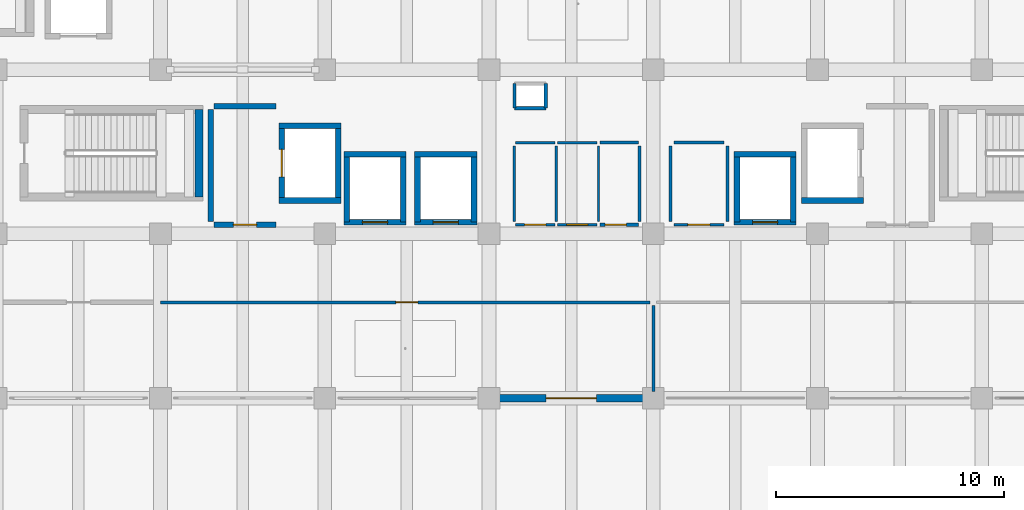
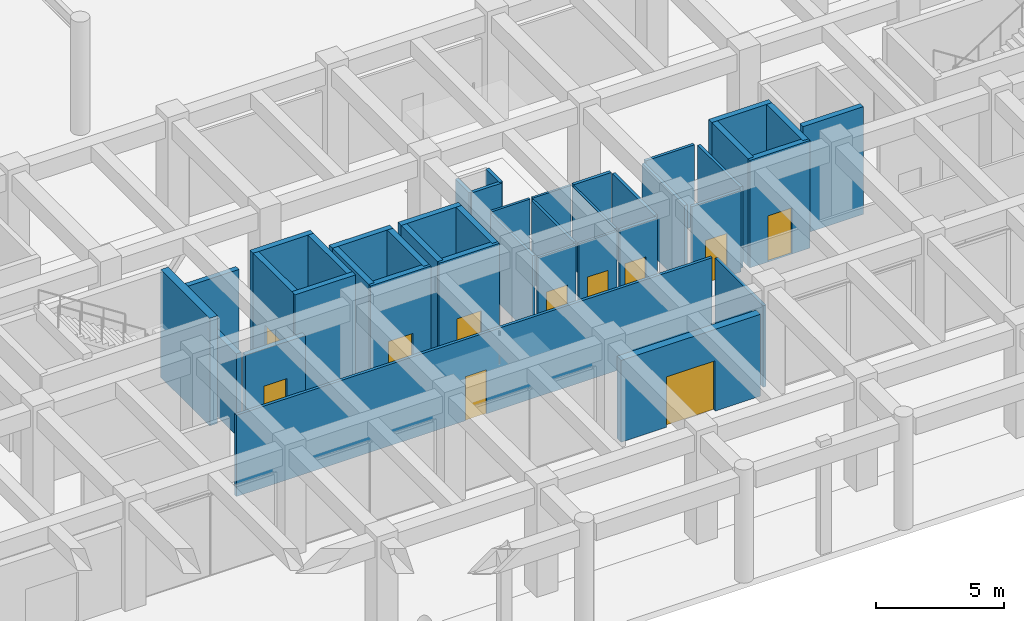
# One storey, part 27 of 56: 41 walls, 11 doors, 11 openings.
"""IFC4 building model written with IfcOpenShell, lengths in metres."""

from ifc_helpers import new_model, si_unit, direction, frame, frame_2d, origin, place, context, subcontext, project, spatial, rectangle, extrude, material, layer, layer_set, type_object, element, fill, save


model = new_model("IFC4")

# Units and contexts
model_context = context("Model", 3, precision=1e-05, world=origin(), true_north=direction((0.0, 1.0)))
body_context = subcontext(model_context, "Body", "Model", "MODEL_VIEW")
ifc_project = project(units=[si_unit("LENGTHUNIT", "METRE"), si_unit("AREAUNIT", "SQUARE_METRE"), si_unit("VOLUMEUNIT", "CUBIC_METRE"), si_unit("PLANEANGLEUNIT", "RADIAN"), si_unit("MASSUNIT", "GRAM", prefix="KILO")], contexts=[model_context])

# Site, building, storey
site_placement = place(None, origin())
site = spatial("IfcSite", under=ifc_project, at=site_placement, CompositionType="ELEMENT")
building_placement = place(site_placement, origin())
building = spatial("IfcBuilding", under=site, at=building_placement, Name="Kazehaya Institute of Natural Sciences", CompositionType="ELEMENT")
storey_placement = place(building_placement, origin())
storey = spatial("IfcBuildingStorey", under=building, at=storey_placement, Name="L00", CompositionType="ELEMENT", Elevation=0.0)

# Wall
ifc_material_1 = material(Name="Concrete Fc42", Category="concrete")
ifc_layer_1 = layer(ifc_material_1, 0.35009765625, Name="Concrete Fc42", Category="concrete")
ifc_layer_set_1 = layer_set([ifc_layer_1], Name="Concrete Fc42")
wall_type_1 = type_object("IfcWallType", Name="WL-CORE-350", PredefinedType="SHEAR", material=ifc_layer_set_1)
wall_1_placement = place(storey_placement, frame((70.679931640625, 26.659912109375, 0.0), z_axis=(0.0, 0.0, 1.0), x_axis=(0.0, -1.0, 0.0)))
element("IfcWall", 1, at=wall_1_placement, inside=storey, type_object=wall_type_1, Name="L00 ST-1 core wall E", PredefinedType="SHEAR", context=body_context, shape_type="SweptSolid", body=[
    extrude(rectangle(XDim=3.83984375, YDim=0.35009765625, at=frame_2d((1.919921875, 0.0))), origin(), (0.0, 0.0, 1.0), 5.1298828125),
])

# Wall, opening, door
ifc_material_2 = material(Name="Precast concrete Fc36", Category="concrete")
ifc_layer_2 = layer(ifc_material_2, 0.340087890625, Name="Precast concrete Fc36", Category="concrete")
ifc_layer_set_2 = layer_set([ifc_layer_2], Name="Precast concrete Fc36")
wall_type_2 = type_object("IfcWallType", Name="WL-EXT-340", PredefinedType="SOLIDWALL", material=ifc_layer_set_2)
wall_2_placement = place(storey_placement, frame((90.139892578125, 14.0, 0.0), z_axis=(0.0, 0.0, 1.0), x_axis=(-1.0, 0.0, 0.0)))
wall_2 = element("IfcWall", 2, at=wall_2_placement, inside=storey, type_object=wall_type_2, Name="L00 exterior wall EW-L00-0096", PredefinedType="SOLIDWALL", context=body_context, shape_type="SweptSolid", body=[
    extrude(rectangle(XDim=6.27978515625, YDim=0.340087890625, at=frame_2d((3.139892578125, 0.0))), origin(), (0.0, 0.0, 1.0), 3.89990234375),
])
opening_1_placement = place(wall_2_placement, frame((2.0400390625, 0.0, 0.0)))
opening_1 = element("IfcOpeningElement", 3, at=opening_1_placement, cuts=wall_2, Name="Opening D-E09", PredefinedType="OPENING", context=body_context, shape_type="SweptSolid", body=[
    extrude(rectangle(XDim=2.199951171875, YDim=2.39990234375, at=frame_2d((1.10009765625, 1.199951171875))), frame((0.0, 0.179931640625, 0.0), z_axis=(0.0, -1.0, 0.0), x_axis=(1.0, 0.0, 0.0)), (0.0, 0.0, 1.0), 0.360107421875),
])
ifc_material_3 = material(Name="Insulated bronze-clad steel door", Category="steel")
door_type_1 = type_object("IfcDoorType", Name="DT-EXT-2200x2400", OperationType="DOUBLE_DOOR_SINGLE_SWING", PredefinedType="DOOR", material=ifc_material_3)
door_1_placement = place(opening_1_placement, origin())
door_1 = element("IfcDoor", 4, at=door_1_placement, inside=storey, type_object=door_type_1, Name="L00 exterior door D-E09", OperationType="DOUBLE_DOOR_SINGLE_SWING", OverallHeight=2.39990234375, OverallWidth=2.199951171875, PredefinedType="DOOR", context=body_context, shape_type="SweptSolid", body=[
    extrude(rectangle(XDim=2.199951171875, YDim=2.39990234375, at=frame_2d((1.10009765625, 1.199951171875))), frame((0.0, 0.02490234375, 0.0), z_axis=(0.0, -1.0, 0.0), x_axis=(1.0, 0.0, 0.0)), (0.0, 0.0, 1.0), 0.050048828125),
])
fill(opening_1, door_1)

ifc_material_4 = material(Name="Concrete Fc36", Category="concrete")
ifc_layer_3 = layer(ifc_material_4, 0.22998046875, Name="Concrete Fc36", Category="concrete")
ifc_layer_set_3 = layer_set([ifc_layer_3], Name="Concrete Fc36")
wall_type_3 = type_object("IfcWallType", Name="WL-FFL-230", PredefinedType="PARTITIONING", material=ifc_layer_set_3)
wall_3_placement = place(storey_placement, frame((74.050048828125, 21.60009765625, 0.0), z_axis=(0.0, 0.0, 1.0), x_axis=(-1.0, 0.0, 0.0)))
wall_3 = element("IfcWall", 5, at=wall_3_placement, inside=storey, type_object=wall_type_3, Name="L00 West Firefighting Lift Lobby partition IW-L00-0034", PredefinedType="PARTITIONING", context=body_context, shape_type="SweptSolid", body=[
    extrude(rectangle(XDim=2.699951171875, YDim=0.22998046875, at=frame_2d((1.35009765625, 0.0))), origin(), (0.0, 0.0, 1.0), 3.8798828125),
])
opening_2_placement = place(wall_3_placement, frame((0.840087890625, 0.0, 0.0)))
opening_2 = element("IfcOpeningElement", 6, at=opening_2_placement, cuts=wall_3, Name="Opening D-L00-0053", PredefinedType="OPENING", context=body_context, shape_type="SweptSolid", body=[
    extrude(rectangle(XDim=1.02001953125, YDim=2.1201171875, at=frame_2d((0.510009765625, 1.06005859375))), frame((0.0, 0.125, 0.0), z_axis=(0.0, -1.0, 0.0), x_axis=(1.0, 0.0, 0.0)), (0.0, 0.0, 1.0), 0.25),
])
ifc_material_5 = material(Name="Fire-rated steel acoustic door", Category="steel")
door_type_2 = type_object("IfcDoorType", Name="DT-FD-11", OperationType="NOTDEFINED", PredefinedType="DOOR", material=ifc_material_5)
door_2_placement = place(opening_2_placement, origin())
door_2 = element("IfcDoor", 7, at=door_2_placement, inside=storey, type_object=door_type_2, Name="L00 West Firefighting Lift Lobby door D-L00-0053", OperationType="SINGLE_SWING_LEFT", OverallHeight=2.1201171875, OverallWidth=1.02001953125, PredefinedType="DOOR", context=body_context, shape_type="SweptSolid", body=[
    extrude(rectangle(XDim=1.02001953125, YDim=2.1201171875, at=frame_2d((0.510009765625, 1.06005859375))), frame((0.0, 0.02490234375, 0.0), z_axis=(0.0, -1.0, 0.0), x_axis=(1.0, 0.0, 0.0)), (0.0, 0.0, 1.0), 0.050048828125),
])
fill(opening_2, door_2)

# Walls
wall_4_placement = place(storey_placement, frame((71.35009765625, 26.800048828125, 0.0), z_axis=(0.0, 0.0, 1.0), x_axis=(1.0, 0.0, 0.0)))
element("IfcWall", 8, at=wall_4_placement, inside=storey, type_object=wall_type_3, Name="L00 West Firefighting Lift Lobby partition IW-L00-0035", PredefinedType="PARTITIONING", context=body_context, shape_type="SweptSolid", body=[
    extrude(rectangle(XDim=2.699951171875, YDim=0.22998046875, at=frame_2d((1.35009765625, 0.0))), origin(), (0.0, 0.0, 1.0), 3.8798828125),
])
wall_5_placement = place(storey_placement, frame((71.199951171875, 21.75, 0.0), z_axis=(0.0, 0.0, 1.0), x_axis=(0.0, 1.0, 0.0)))
element("IfcWall", 9, at=wall_5_placement, inside=storey, type_object=wall_type_3, Name="L00 West Firefighting Lift Lobby partition IW-L00-0036", PredefinedType="PARTITIONING", context=body_context, shape_type="SweptSolid", body=[
    extrude(rectangle(XDim=4.89990234375, YDim=0.22998046875, at=frame_2d((2.449951171875, 0.0))), origin(), (0.0, 0.0, 1.0), 3.8798828125),
])

# Wall, opening, door
ifc_material_6 = material(Name="Lightweight chase partition")
ifc_layer_4 = layer(ifc_material_6, 0.10009765625, Name="Lightweight chase partition")
ifc_layer_set_4 = layer_set([ifc_layer_4], Name="Lightweight chase partition")
wall_type_4 = type_object("IfcWallType", Name="WL-PART-100", PredefinedType="PARTITIONING", material=ifc_layer_set_4)
wall_6_placement = place(storey_placement, frame((88.139892578125, 21.60009765625, 0.0), z_axis=(0.0, 0.0, 1.0), x_axis=(-1.0, 0.0, 0.0)))
wall_6 = element("IfcWall", 10, at=wall_6_placement, inside=storey, type_object=wall_type_4, Name="L00 Female WC partition IW-L00-0044", PredefinedType="PARTITIONING", context=body_context, shape_type="SweptSolid", body=[
    extrude(rectangle(XDim=1.72998046875, YDim=0.10009765625, at=frame_2d((0.864990234375, 0.0))), origin(), (0.0, 0.0, 1.0), 3.8798828125),
])
opening_3_placement = place(wall_6_placement, frame((0.405029296875, 0.0, 0.0)))
opening_3 = element("IfcOpeningElement", 11, at=opening_3_placement, cuts=wall_6, Name="Opening D-L00-0056", PredefinedType="OPENING", context=body_context, shape_type="SweptSolid", body=[
    extrude(rectangle(XDim=0.929931640625, YDim=2.159912109375, at=frame_2d((0.46484375, 1.080078125))), frame((0.0, 0.06005859375, 0.0), z_axis=(0.0, -1.0, 0.0), x_axis=(1.0, 0.0, 0.0)), (0.0, 0.0, 1.0), 0.1201171875),
])
ifc_material_7 = material(Name="Flush timber and aluminium laboratory door", Category="wood")
door_type_3 = type_object("IfcDoorType", Name="DT-INT-07", OperationType="NOTDEFINED", PredefinedType="DOOR", material=ifc_material_7)
door_3_placement = place(opening_3_placement, origin())
door_3 = element("IfcDoor", 12, at=door_3_placement, inside=storey, type_object=door_type_3, Name="L00 Female WC door D-L00-0056", OperationType="SINGLE_SWING_RIGHT", OverallHeight=2.159912109375, OverallWidth=0.929931640625, PredefinedType="DOOR", context=body_context, shape_type="SweptSolid", body=[
    extrude(rectangle(XDim=0.929931640625, YDim=2.159912109375, at=frame_2d((0.46484375, 1.080078125))), frame((0.0, 0.02490234375, 0.0), z_axis=(0.0, -1.0, 0.0), x_axis=(1.0, 0.0, 0.0)), (0.0, 0.0, 1.0), 0.050048828125),
])
fill(opening_3, door_3)

# Walls
wall_7_placement = place(storey_placement, frame((86.409912109375, 25.199951171875, 0.0), z_axis=(0.0, 0.0, 1.0), x_axis=(1.0, 0.0, 0.0)))
element("IfcWall", 13, at=wall_7_placement, inside=storey, type_object=wall_type_4, Name="L00 Female WC partition IW-L00-0045", PredefinedType="PARTITIONING", context=body_context, shape_type="SweptSolid", body=[
    extrude(rectangle(XDim=1.72998046875, YDim=0.10009765625, at=frame_2d((0.864990234375, 0.0))), origin(), (0.0, 0.0, 1.0), 3.8798828125),
])
wall_8_placement = place(storey_placement, frame((88.199951171875, 25.050048828125, 0.0), z_axis=(0.0, 0.0, 1.0), x_axis=(0.0, -1.0, 0.0)))
element("IfcWall", 14, at=wall_8_placement, inside=storey, type_object=wall_type_4, Name="L00 Female WC partition IW-L00-0046", PredefinedType="PARTITIONING", context=body_context, shape_type="SweptSolid", body=[
    extrude(rectangle(XDim=3.300048828125, YDim=0.10009765625, at=frame_2d((1.64990234375, 0.0))), origin(), (0.0, 0.0, 1.0), 3.8798828125),
])

# Wall, opening, door
ifc_material_8 = material(Name="Glazed office demountable partition")
ifc_layer_5 = layer(ifc_material_8, 0.110107421875, Name="Glazed office demountable partition")
ifc_layer_set_5 = layer_set([ifc_layer_5], Name="Glazed office demountable partition")
wall_type_5 = type_object("IfcWallType", Name="WL-PART-110", PredefinedType="PARTITIONING", material=ifc_layer_set_5)
wall_9_placement = place(storey_placement, frame((86.2900390625, 21.60009765625, 0.0), z_axis=(0.0, 0.0, 1.0), x_axis=(-1.0, 0.0, 0.0)))
wall_9 = element("IfcWall", 15, at=wall_9_placement, inside=storey, type_object=wall_type_5, Name="L00 Male WC partition IW-L00-0040", PredefinedType="PARTITIONING", context=body_context, shape_type="SweptSolid", body=[
    extrude(rectangle(XDim=1.72998046875, YDim=0.110107421875, at=frame_2d((0.864990234375, 0.0))), origin(), (0.0, 0.0, 1.0), 3.8798828125),
])
opening_4_placement = place(wall_9_placement, frame((0.405029296875, 0.0, 0.0)))
opening_4 = element("IfcOpeningElement", 16, at=opening_4_placement, cuts=wall_9, Name="Opening D-L00-0055", PredefinedType="OPENING", context=body_context, shape_type="SweptSolid", body=[
    extrude(rectangle(XDim=0.929931640625, YDim=2.10009765625, at=frame_2d((0.46484375, 1.050048828125))), frame((0.0, 0.06494140625, 0.0), z_axis=(0.0, -1.0, 0.0), x_axis=(1.0, 0.0, 0.0)), (0.0, 0.0, 1.0), 0.130126953125),
])
door_type_4 = type_object("IfcDoorType", Name="DT-INT-06", OperationType="NOTDEFINED", PredefinedType="DOOR", material=ifc_material_7)
door_4_placement = place(opening_4_placement, origin())
door_4 = element("IfcDoor", 17, at=door_4_placement, inside=storey, type_object=door_type_4, Name="L00 Male WC door D-L00-0055", OperationType="SINGLE_SWING_LEFT", OverallHeight=2.10009765625, OverallWidth=0.929931640625, PredefinedType="DOOR", context=body_context, shape_type="SweptSolid", body=[
    extrude(rectangle(XDim=0.929931640625, YDim=2.10009765625, at=frame_2d((0.46484375, 1.050048828125))), frame((0.0, 0.02490234375, 0.0), z_axis=(0.0, -1.0, 0.0), x_axis=(1.0, 0.0, 0.0)), (0.0, 0.0, 1.0), 0.050048828125),
])
fill(opening_4, door_4)

# Walls
wall_10_placement = place(storey_placement, frame((84.56005859375, 25.199951171875, 0.0), z_axis=(0.0, 0.0, 1.0), x_axis=(1.0, 0.0, 0.0)))
element("IfcWall", 18, at=wall_10_placement, inside=storey, type_object=wall_type_5, Name="L00 Male WC partition IW-L00-0041", PredefinedType="PARTITIONING", context=body_context, shape_type="SweptSolid", body=[
    extrude(rectangle(XDim=1.72998046875, YDim=0.110107421875, at=frame_2d((0.864990234375, 0.0))), origin(), (0.0, 0.0, 1.0), 3.8798828125),
])
for number, where, z_axis, x_axis, name in (
    (19, (84.5, 21.75, 0.0), (0.0, 0.0, 1.0), (0.0, 1.0, 0.0), "L00 Male WC partition IW-L00-0042"),
    (20, (86.35009765625, 25.050048828125, 0.0), (0.0, 0.0, 1.0), (0.0, -1.0, 0.0), "L00 Male WC partition IW-L00-0043"),
):
    element("IfcWall", number, at=place(storey_placement, frame(where, z_axis=z_axis, x_axis=x_axis)), inside=storey, type_object=wall_type_5, Name=name, PredefinedType="PARTITIONING", context=body_context, shape_type="SweptSolid", body=[
        extrude(rectangle(XDim=3.300048828125, YDim=0.110107421875, at=frame_2d((1.64990234375, 0.0))), origin(), (0.0, 0.0, 1.0), 3.8798828125),
    ])

# Wall, opening, door
ifc_material_9 = material(Name="Moisture-resistant WC partition")
ifc_layer_6 = layer(ifc_material_9, 0.1298828125, Name="Moisture-resistant WC partition")
ifc_layer_set_6 = layer_set([ifc_layer_6], Name="Moisture-resistant WC partition")
wall_type_6 = type_object("IfcWallType", Name="WL-PART-130", PredefinedType="PARTITIONING", material=ifc_layer_set_6)
wall_11_placement = place(storey_placement, frame((93.699951171875, 21.60009765625, 0.0), z_axis=(0.0, 0.0, 1.0), x_axis=(-1.0, 0.0, 0.0)))
wall_11 = element("IfcWall", 21, at=wall_11_placement, inside=storey, type_object=wall_type_6, Name="L00 Ostomate WC partition IW-L00-0050", PredefinedType="PARTITIONING", context=body_context, shape_type="SweptSolid", body=[
    extrude(rectangle(XDim=2.199951171875, YDim=0.1298828125, at=frame_2d((1.10009765625, 0.0))), origin(), (0.0, 0.0, 1.0), 3.8798828125),
])
opening_5_placement = place(wall_11_placement, frame((0.6201171875, 0.0, 0.0)))
opening_5 = element("IfcOpeningElement", 22, at=opening_5_placement, cuts=wall_11, Name="Opening D-L00-0058", PredefinedType="OPENING", context=body_context, shape_type="SweptSolid", body=[
    extrude(rectangle(XDim=0.9599609375, YDim=2.050048828125, at=frame_2d((0.47998046875, 1.02490234375))), frame((0.0, 0.074951171875, 0.0), z_axis=(0.0, -1.0, 0.0), x_axis=(1.0, 0.0, 0.0)), (0.0, 0.0, 1.0), 0.14990234375),
])
door_type_5 = type_object("IfcDoorType", Name="DT-INT-09", OperationType="NOTDEFINED", PredefinedType="DOOR", material=ifc_material_7)
door_5_placement = place(opening_5_placement, origin())
door_5 = element("IfcDoor", 23, at=door_5_placement, inside=storey, type_object=door_type_5, Name="L00 Ostomate WC door D-L00-0058", OperationType="SINGLE_SWING_RIGHT", OverallHeight=2.050048828125, OverallWidth=0.9599609375, PredefinedType="DOOR", context=body_context, shape_type="SweptSolid", body=[
    extrude(rectangle(XDim=0.9599609375, YDim=2.050048828125, at=frame_2d((0.47998046875, 1.02490234375))), frame((0.0, 0.02490234375, 0.0), z_axis=(0.0, -1.0, 0.0), x_axis=(1.0, 0.0, 0.0)), (0.0, 0.0, 1.0), 0.050048828125),
])
fill(opening_5, door_5)

# Walls
wall_12_placement = place(storey_placement, frame((91.5, 25.199951171875, 0.0), z_axis=(0.0, 0.0, 1.0), x_axis=(1.0, 0.0, 0.0)))
element("IfcWall", 24, at=wall_12_placement, inside=storey, type_object=wall_type_6, Name="L00 Ostomate WC partition IW-L00-0051", PredefinedType="PARTITIONING", context=body_context, shape_type="SweptSolid", body=[
    extrude(rectangle(XDim=2.199951171875, YDim=0.1298828125, at=frame_2d((1.10009765625, 0.0))), origin(), (0.0, 0.0, 1.0), 3.8798828125),
])
for number, where, z_axis, x_axis, name in (
    (25, (91.35009765625, 21.75, 0.0), (0.0, 0.0, 1.0), (0.0, 1.0, 0.0), "L00 Ostomate WC partition IW-L00-0052"),
    (26, (93.85009765625, 25.050048828125, 0.0), (0.0, 0.0, 1.0), (0.0, -1.0, 0.0), "L00 Ostomate WC partition IW-L00-0053"),
):
    element("IfcWall", number, at=place(storey_placement, frame(where, z_axis=z_axis, x_axis=x_axis)), inside=storey, type_object=wall_type_6, Name=name, PredefinedType="PARTITIONING", context=body_context, shape_type="SweptSolid", body=[
        extrude(rectangle(XDim=3.300048828125, YDim=0.1298828125, at=frame_2d((1.64990234375, 0.0))), origin(), (0.0, 0.0, 1.0), 3.8798828125),
    ])

# Wall, opening, door
wall_13_placement = place(storey_placement, frame((69.0, 18.199951171875, 0.0), z_axis=(0.0, 0.0, 1.0), x_axis=(1.0, 0.0, 0.0)))
wall_13 = element("IfcWall", 27, at=wall_13_placement, inside=storey, type_object=wall_type_6, Name="L00 Organic Synthesis Laboratory partition IW-L00-0062", PredefinedType="PARTITIONING", context=body_context, shape_type="SweptSolid", body=[
    extrude(rectangle(XDim=21.449951171875, YDim=0.1298828125, at=frame_2d((10.72509765625, 0.0))), origin(), (0.0, 0.0, 1.0), 3.8798828125),
])
opening_6_placement = place(wall_13_placement, frame((10.320068359375, 0.0, 0.0)))
opening_6 = element("IfcOpeningElement", 28, at=opening_6_placement, cuts=wall_13, Name="Opening D-L00-0064", PredefinedType="OPENING", context=body_context, shape_type="SweptSolid", body=[
    extrude(rectangle(XDim=0.9599609375, YDim=2.10009765625, at=frame_2d((0.47998046875, 1.050048828125))), frame((0.0, 0.074951171875, 0.0), z_axis=(0.0, -1.0, 0.0), x_axis=(1.0, 0.0, 0.0)), (0.0, 0.0, 1.0), 0.14990234375),
])
door_type_6 = type_object("IfcDoorType", Name="DT-INT-10", OperationType="NOTDEFINED", PredefinedType="DOOR", material=ifc_material_7)
door_6_placement = place(opening_6_placement, origin())
door_6 = element("IfcDoor", 29, at=door_6_placement, inside=storey, type_object=door_type_6, Name="L00 Organic Synthesis Laboratory door D-L00-0064", OperationType="SINGLE_SWING_RIGHT", OverallHeight=2.10009765625, OverallWidth=0.9599609375, PredefinedType="DOOR", context=body_context, shape_type="SweptSolid", body=[
    extrude(rectangle(XDim=0.9599609375, YDim=2.10009765625, at=frame_2d((0.47998046875, 1.050048828125))), frame((0.0, 0.02490234375, 0.0), z_axis=(0.0, -1.0, 0.0), x_axis=(1.0, 0.0, 0.0)), (0.0, 0.0, 1.0), 0.050048828125),
])
fill(opening_6, door_6)

# Wall
wall_14_placement = place(storey_placement, frame((90.60009765625, 18.050048828125, 0.0), z_axis=(0.0, 0.0, 1.0), x_axis=(0.0, -1.0, 0.0)))
element("IfcWall", 30, at=wall_14_placement, inside=storey, type_object=wall_type_6, Name="L00 Organic Synthesis Laboratory partition IW-L00-0063", PredefinedType="PARTITIONING", context=body_context, shape_type="SweptSolid", body=[
    extrude(rectangle(XDim=3.75, YDim=0.1298828125, at=frame_2d((1.875, 0.0))), origin(), (0.0, 0.0, 1.0), 3.8798828125),
])

# Wall, opening, door
ifc_material_10 = material(Name="Gypsum partition", Category="gypsum")
ifc_layer_7 = layer(ifc_material_10, 0.139892578125, Name="Gypsum partition", Category="gypsum")
ifc_layer_set_7 = layer_set([ifc_layer_7], Name="Gypsum partition")
wall_type_7 = type_object("IfcWallType", Name="WL-PART-140", PredefinedType="PARTITIONING", material=ifc_layer_set_7)
wall_15_placement = place(storey_placement, frame((89.93994140625, 21.60009765625, 0.0), z_axis=(0.0, 0.0, 1.0), x_axis=(-1.0, 0.0, 0.0)))
wall_15 = element("IfcWall", 31, at=wall_15_placement, inside=storey, type_object=wall_type_7, Name="L00 Accessible WC partition IW-L00-0047", PredefinedType="PARTITIONING", context=body_context, shape_type="SweptSolid", body=[
    extrude(rectangle(XDim=1.679931640625, YDim=0.139892578125, at=frame_2d((0.83984375, 0.0))), origin(), (0.0, 0.0, 1.0), 3.8798828125),
])
opening_7_placement = place(wall_15_placement, frame((0.52490234375, 0.0, 0.0)))
opening_7 = element("IfcOpeningElement", 32, at=opening_7_placement, cuts=wall_15, Name="Opening D-L00-0057", PredefinedType="OPENING", context=body_context, shape_type="SweptSolid", body=[
    extrude(rectangle(XDim=0.929931640625, YDim=2.219970703125, at=frame_2d((0.46484375, 1.10986328125))), frame((0.0, 0.079833984375, 0.0), z_axis=(0.0, -1.0, 0.0), x_axis=(1.0, 0.0, 0.0)), (0.0, 0.0, 1.0), 0.159912109375),
])
door_type_7 = type_object("IfcDoorType", Name="DT-INT-08", OperationType="NOTDEFINED", PredefinedType="DOOR", material=ifc_material_7)
door_7_placement = place(opening_7_placement, origin())
door_7 = element("IfcDoor", 33, at=door_7_placement, inside=storey, type_object=door_type_7, Name="L00 Accessible WC door D-L00-0057", OperationType="SINGLE_SWING_LEFT", OverallHeight=2.219970703125, OverallWidth=0.929931640625, PredefinedType="DOOR", context=body_context, shape_type="SweptSolid", body=[
    extrude(rectangle(XDim=0.929931640625, YDim=2.219970703125, at=frame_2d((0.46484375, 1.10986328125))), frame((0.0, 0.02490234375, 0.0), z_axis=(0.0, -1.0, 0.0), x_axis=(1.0, 0.0, 0.0)), (0.0, 0.0, 1.0), 0.050048828125),
])
fill(opening_7, door_7)

# Walls
wall_16_placement = place(storey_placement, frame((88.260009765625, 25.199951171875, 0.0), z_axis=(0.0, 0.0, 1.0), x_axis=(1.0, 0.0, 0.0)))
element("IfcWall", 34, at=wall_16_placement, inside=storey, type_object=wall_type_7, Name="L00 Accessible WC partition IW-L00-0048", PredefinedType="PARTITIONING", context=body_context, shape_type="SweptSolid", body=[
    extrude(rectangle(XDim=1.679931640625, YDim=0.139892578125, at=frame_2d((0.83984375, 0.0))), origin(), (0.0, 0.0, 1.0), 3.8798828125),
])
wall_17_placement = place(storey_placement, frame((90.0, 25.050048828125, 0.0), z_axis=(0.0, 0.0, 1.0), x_axis=(0.0, -1.0, 0.0)))
element("IfcWall", 35, at=wall_17_placement, inside=storey, type_object=wall_type_7, Name="L00 Accessible WC partition IW-L00-0049", PredefinedType="PARTITIONING", context=body_context, shape_type="SweptSolid", body=[
    extrude(rectangle(XDim=3.300048828125, YDim=0.139892578125, at=frame_2d((1.64990234375, 0.0))), origin(), (0.0, 0.0, 1.0), 3.8798828125),
])
ifc_layer_8 = layer(ifc_material_4, 0.14990234375, Name="Concrete Fc36", Category="concrete")
ifc_layer_set_8 = layer_set([ifc_layer_8], Name="Concrete Fc36")
wall_type_8 = type_object("IfcWallType", Name="WL-RISER-150", PredefinedType="PARTITIONING", material=ifc_layer_set_8)
wall_18_placement = place(storey_placement, frame((85.885009765625, 26.715087890625, 0.0), z_axis=(0.0, 0.0, 1.0), x_axis=(-1.0, 0.0, 0.0)))
element("IfcWall", 36, at=wall_18_placement, inside=storey, type_object=wall_type_8, Name="L00 fume exhaust riser shaft wall 11", PredefinedType="PARTITIONING", context=body_context, shape_type="SweptSolid", body=[
    extrude(rectangle(XDim=1.3701171875, YDim=0.14990234375, at=frame_2d((0.68505859375, 0.0))), origin(), (0.0, 0.0, 1.0), 3.8798828125),
])
for number, where, z_axis, x_axis, name in (
    (37, (84.514892578125, 26.715087890625, 0.0), (0.0, 0.0, 1.0), (0.0, 1.0, 0.0), "L00 fume exhaust riser shaft wall 11"),
    (38, (85.885009765625, 27.784912109375, 0.0), (0.0, 0.0, 1.0), (0.0, -1.0, 0.0), "L00 fume exhaust riser shaft wall 11"),
):
    element("IfcWall", number, at=place(storey_placement, frame(where, z_axis=z_axis, x_axis=x_axis)), inside=storey, type_object=wall_type_8, Name=name, PredefinedType="PARTITIONING", context=body_context, shape_type="SweptSolid", body=[
        extrude(rectangle(XDim=1.06982421875, YDim=0.14990234375, at=frame_2d((0.534912109375, 0.0))), origin(), (0.0, 0.0, 1.0), 3.8798828125),
    ])
ifc_layer_9 = layer(ifc_material_1, 0.25, Name="Concrete Fc42", Category="concrete")
ifc_layer_set_9 = layer_set([ifc_layer_9], Name="Concrete Fc42")
wall_type_9 = type_object("IfcWallType", Name="WL-SHAFT-250", PredefinedType="SHEAR", material=ifc_layer_set_9)
for number, where, z_axis, x_axis, name in (
    (39, (76.909912109375, 22.6650390625, 0.0), (0.0, 0.0, 1.0), (-1.0, 0.0, 0.0), "L00 EL07 lift shaft wall south"),
    (40, (74.18994140625, 25.93505859375, 0.0), (0.0, 0.0, 1.0), (1.0, 0.0, 0.0), "L00 EL07 lift shaft wall north"),
):
    element("IfcWall", number, at=place(storey_placement, frame(where, z_axis=z_axis, x_axis=x_axis)), inside=storey, type_object=wall_type_9, Name=name, PredefinedType="SHEAR", context=body_context, shape_type="SweptSolid", body=[
        extrude(rectangle(XDim=2.719970703125, YDim=0.25, at=frame_2d((1.35986328125, 0.0))), origin(), (0.0, 0.0, 1.0), 5.1298828125),
    ])

# Wall, opening, door
wall_19_placement = place(storey_placement, frame((74.31494140625, 22.6650390625, 0.0), z_axis=(0.0, 0.0, 1.0), x_axis=(0.0, 1.0, 0.0)))
wall_19 = element("IfcWall", 41, at=wall_19_placement, inside=storey, type_object=wall_type_9, Name="L00 EL07 lift shaft wall west", PredefinedType="SHEAR", context=body_context, shape_type="SweptSolid", body=[
    extrude(rectangle(XDim=3.27001953125, YDim=0.25, at=frame_2d((1.635009765625, 0.0))), origin(), (0.0, 0.0, 1.0), 5.1298828125),
])
opening_8_placement = place(wall_19_placement, frame((1.034912109375, 0.0, 0.0)))
opening_8 = element("IfcOpeningElement", 42, at=opening_8_placement, cuts=wall_19, Name="Opening LD-02", PredefinedType="OPENING", context=body_context, shape_type="SweptSolid", body=[
    extrude(rectangle(XDim=1.199951171875, YDim=2.25, at=frame_2d((0.60009765625, 1.125))), frame((0.0, 0.135009765625, 0.0), z_axis=(0.0, -1.0, 0.0), x_axis=(1.0, 0.0, 0.0)), (0.0, 0.0, 1.0), 0.27001953125),
])
ifc_material_11 = material(Name="Stainless-steel emergency lift landing door", Category="steel")
door_type_8 = type_object("IfcDoorType", Name="DT-LD-1200x2250", OperationType="SLIDING_TO_LEFT", PredefinedType="DOOR", material=ifc_material_11)
door_8_placement = place(opening_8_placement, origin())
door_8 = element("IfcDoor", 43, at=door_8_placement, inside=storey, type_object=door_type_8, Name="L00 EL07 sliding landing door LD-02", OperationType="SLIDING_TO_LEFT", OverallHeight=2.25, OverallWidth=1.199951171875, PredefinedType="DOOR", context=body_context, shape_type="SweptSolid", body=[
    extrude(rectangle(XDim=1.199951171875, YDim=2.25, at=frame_2d((0.60009765625, 1.125))), frame((0.0, 0.02490234375, 0.0), z_axis=(0.0, -1.0, 0.0), x_axis=(1.0, 0.0, 0.0)), (0.0, 0.0, 1.0), 0.050048828125),
])
fill(opening_8, door_8)

# Walls
wall_20_placement = place(storey_placement, frame((76.784912109375, 25.93505859375, 0.0), z_axis=(0.0, 0.0, 1.0), x_axis=(0.0, -1.0, 0.0)))
element("IfcWall", 44, at=wall_20_placement, inside=storey, type_object=wall_type_9, Name="L00 EL07 lift shaft wall east", PredefinedType="SHEAR", context=body_context, shape_type="SweptSolid", body=[
    extrude(rectangle(XDim=3.27001953125, YDim=0.25, at=frame_2d((1.635009765625, 0.0))), origin(), (0.0, 0.0, 1.0), 5.1298828125),
])
wall_21_placement = place(storey_placement, frame((99.81005859375, 22.6650390625, 0.0), z_axis=(0.0, 0.0, 1.0), x_axis=(-1.0, 0.0, 0.0)))
element("IfcWall", 45, at=wall_21_placement, inside=storey, type_object=wall_type_9, Name="L00 EL08 lift shaft wall south", PredefinedType="SHEAR", context=body_context, shape_type="SweptSolid", body=[
    extrude(rectangle(XDim=2.719970703125, YDim=0.25, at=frame_2d((1.35986328125, 0.0))), origin(), (0.0, 0.0, 1.0), 5.1298828125),
])

# Wall, opening, door
wall_22_placement = place(storey_placement, frame((79.760009765625, 21.715087890625, 0.0), z_axis=(0.0, 0.0, 1.0), x_axis=(-1.0, 0.0, 0.0)))
wall_22 = element("IfcWall", 46, at=wall_22_placement, inside=storey, type_object=wall_type_9, Name="L00 EL01 lift shaft wall south", PredefinedType="SHEAR", context=body_context, shape_type="SweptSolid", body=[
    extrude(rectangle(XDim=2.719970703125, YDim=0.25, at=frame_2d((1.35986328125, 0.0))), origin(), (0.0, 0.0, 1.0), 5.1298828125),
])
opening_9_placement = place(wall_22_placement, frame((0.81005859375, 0.0, 0.0)))
opening_9 = element("IfcOpeningElement", 47, at=opening_9_placement, cuts=wall_22, Name="Opening LD-24", PredefinedType="OPENING", context=body_context, shape_type="SweptSolid", body=[
    extrude(rectangle(XDim=1.10009765625, YDim=2.199951171875, at=frame_2d((0.550048828125, 1.10009765625))), frame((0.0, 0.135009765625, 0.0), z_axis=(0.0, -1.0, 0.0), x_axis=(1.0, 0.0, 0.0)), (0.0, 0.0, 1.0), 0.27001953125),
])
ifc_material_12 = material(Name="Stainless-steel sliding landing door", Category="steel")
door_type_9 = type_object("IfcDoorType", Name="DT-LD-1100x2200", OperationType="SLIDING_TO_LEFT", PredefinedType="DOOR", material=ifc_material_12)
door_9_placement = place(opening_9_placement, origin())
door_9 = element("IfcDoor", 48, at=door_9_placement, inside=storey, type_object=door_type_9, Name="L00 EL01 sliding landing door LD-24", OperationType="SLIDING_TO_LEFT", OverallHeight=2.199951171875, OverallWidth=1.10009765625, PredefinedType="DOOR", context=body_context, shape_type="SweptSolid", body=[
    extrude(rectangle(XDim=1.10009765625, YDim=2.199951171875, at=frame_2d((0.550048828125, 1.10009765625))), frame((0.0, 0.02490234375, 0.0), z_axis=(0.0, -1.0, 0.0), x_axis=(1.0, 0.0, 0.0)), (0.0, 0.0, 1.0), 0.050048828125),
])
fill(opening_9, door_9)

# Walls
wall_23_placement = place(storey_placement, frame((77.0400390625, 24.68505859375, 0.0), z_axis=(0.0, 0.0, 1.0), x_axis=(1.0, 0.0, 0.0)))
element("IfcWall", 49, at=wall_23_placement, inside=storey, type_object=wall_type_9, Name="L00 EL01 lift shaft wall north", PredefinedType="SHEAR", context=body_context, shape_type="SweptSolid", body=[
    extrude(rectangle(XDim=2.719970703125, YDim=0.25, at=frame_2d((1.35986328125, 0.0))), origin(), (0.0, 0.0, 1.0), 5.1298828125),
])
for number, where, z_axis, x_axis, name in (
    (50, (77.1650390625, 21.715087890625, 0.0), (0.0, 0.0, 1.0), (0.0, 1.0, 0.0), "L00 EL01 lift shaft wall west"),
    (51, (79.635009765625, 24.68505859375, 0.0), (0.0, 0.0, 1.0), (0.0, -1.0, 0.0), "L00 EL01 lift shaft wall east"),
):
    element("IfcWall", number, at=place(storey_placement, frame(where, z_axis=z_axis, x_axis=x_axis)), inside=storey, type_object=wall_type_9, Name=name, PredefinedType="SHEAR", context=body_context, shape_type="SweptSolid", body=[
        extrude(rectangle(XDim=2.969970703125, YDim=0.25, at=frame_2d((1.48486328125, 0.0))), origin(), (0.0, 0.0, 1.0), 5.1298828125),
    ])

# Wall, opening, door
wall_24_placement = place(storey_placement, frame((82.860107421875, 21.715087890625, 0.0), z_axis=(0.0, 0.0, 1.0), x_axis=(-1.0, 0.0, 0.0)))
wall_24 = element("IfcWall", 52, at=wall_24_placement, inside=storey, type_object=wall_type_9, Name="L00 EL02 lift shaft wall south", PredefinedType="SHEAR", context=body_context, shape_type="SweptSolid", body=[
    extrude(rectangle(XDim=2.72021484375, YDim=0.25, at=frame_2d((1.360107421875, 0.0))), origin(), (0.0, 0.0, 1.0), 5.1298828125),
])
opening_10_placement = place(wall_24_placement, frame((0.81005859375, 0.0, 0.0)))
opening_10 = element("IfcOpeningElement", 53, at=opening_10_placement, cuts=wall_24, Name="Opening LD-35", PredefinedType="OPENING", context=body_context, shape_type="SweptSolid", body=[
    extrude(rectangle(XDim=1.10009765625, YDim=2.199951171875, at=frame_2d((0.550048828125, 1.10009765625))), frame((0.0, 0.135009765625, 0.0), z_axis=(0.0, -1.0, 0.0), x_axis=(1.0, 0.0, 0.0)), (0.0, 0.0, 1.0), 0.27001953125),
])
door_10_placement = place(opening_10_placement, origin())
door_10 = element("IfcDoor", 54, at=door_10_placement, inside=storey, type_object=door_type_9, Name="L00 EL02 sliding landing door LD-35", OperationType="SLIDING_TO_LEFT", OverallHeight=2.199951171875, OverallWidth=1.10009765625, PredefinedType="DOOR", context=body_context, shape_type="SweptSolid", body=[
    extrude(rectangle(XDim=1.10009765625, YDim=2.199951171875, at=frame_2d((0.550048828125, 1.10009765625))), frame((0.0, 0.02490234375, 0.0), z_axis=(0.0, -1.0, 0.0), x_axis=(1.0, 0.0, 0.0)), (0.0, 0.0, 1.0), 0.050048828125),
])
fill(opening_10, door_10)

# Walls
wall_25_placement = place(storey_placement, frame((80.139892578125, 24.68505859375, 0.0), z_axis=(0.0, 0.0, 1.0), x_axis=(1.0, 0.0, 0.0)))
element("IfcWall", 55, at=wall_25_placement, inside=storey, type_object=wall_type_9, Name="L00 EL02 lift shaft wall north", PredefinedType="SHEAR", context=body_context, shape_type="SweptSolid", body=[
    extrude(rectangle(XDim=2.72021484375, YDim=0.25, at=frame_2d((1.360107421875, 0.0))), origin(), (0.0, 0.0, 1.0), 5.1298828125),
])
for number, where, z_axis, x_axis, name in (
    (56, (80.264892578125, 21.715087890625, 0.0), (0.0, 0.0, 1.0), (0.0, 1.0, 0.0), "L00 EL02 lift shaft wall west"),
    (57, (82.735107421875, 24.68505859375, 0.0), (0.0, 0.0, 1.0), (0.0, -1.0, 0.0), "L00 EL02 lift shaft wall east"),
):
    element("IfcWall", number, at=place(storey_placement, frame(where, z_axis=z_axis, x_axis=x_axis)), inside=storey, type_object=wall_type_9, Name=name, PredefinedType="SHEAR", context=body_context, shape_type="SweptSolid", body=[
        extrude(rectangle(XDim=2.969970703125, YDim=0.25, at=frame_2d((1.48486328125, 0.0))), origin(), (0.0, 0.0, 1.0), 5.1298828125),
    ])

# Wall, opening, door
wall_26_placement = place(storey_placement, frame((96.860107421875, 21.715087890625, 0.0), z_axis=(0.0, 0.0, 1.0), x_axis=(-1.0, 0.0, 0.0)))
wall_26 = element("IfcWall", 58, at=wall_26_placement, inside=storey, type_object=wall_type_9, Name="L00 EL03 lift shaft wall south", PredefinedType="SHEAR", context=body_context, shape_type="SweptSolid", body=[
    extrude(rectangle(XDim=2.72021484375, YDim=0.25, at=frame_2d((1.360107421875, 0.0))), origin(), (0.0, 0.0, 1.0), 5.1298828125),
])
opening_11_placement = place(wall_26_placement, frame((0.81005859375, 0.0, 0.0)))
opening_11 = element("IfcOpeningElement", 59, at=opening_11_placement, cuts=wall_26, Name="Opening LD-46", PredefinedType="OPENING", context=body_context, shape_type="SweptSolid", body=[
    extrude(rectangle(XDim=1.10009765625, YDim=2.199951171875, at=frame_2d((0.550048828125, 1.10009765625))), frame((0.0, 0.135009765625, 0.0), z_axis=(0.0, -1.0, 0.0), x_axis=(1.0, 0.0, 0.0)), (0.0, 0.0, 1.0), 0.27001953125),
])
door_11_placement = place(opening_11_placement, origin())
door_11 = element("IfcDoor", 60, at=door_11_placement, inside=storey, type_object=door_type_9, Name="L00 EL03 sliding landing door LD-46", OperationType="SLIDING_TO_LEFT", OverallHeight=2.199951171875, OverallWidth=1.10009765625, PredefinedType="DOOR", context=body_context, shape_type="SweptSolid", body=[
    extrude(rectangle(XDim=1.10009765625, YDim=2.199951171875, at=frame_2d((0.550048828125, 1.10009765625))), frame((0.0, 0.02490234375, 0.0), z_axis=(0.0, -1.0, 0.0), x_axis=(1.0, 0.0, 0.0)), (0.0, 0.0, 1.0), 0.050048828125),
])
fill(opening_11, door_11)

# Walls
wall_27_placement = place(storey_placement, frame((94.139892578125, 24.68505859375, 0.0), z_axis=(0.0, 0.0, 1.0), x_axis=(1.0, 0.0, 0.0)))
element("IfcWall", 61, at=wall_27_placement, inside=storey, type_object=wall_type_9, Name="L00 EL03 lift shaft wall north", PredefinedType="SHEAR", context=body_context, shape_type="SweptSolid", body=[
    extrude(rectangle(XDim=2.72021484375, YDim=0.25, at=frame_2d((1.360107421875, 0.0))), origin(), (0.0, 0.0, 1.0), 5.1298828125),
])
for number, where, z_axis, x_axis, name in (
    (62, (94.264892578125, 21.715087890625, 0.0), (0.0, 0.0, 1.0), (0.0, 1.0, 0.0), "L00 EL03 lift shaft wall west"),
    (63, (96.735107421875, 24.68505859375, 0.0), (0.0, 0.0, 1.0), (0.0, -1.0, 0.0), "L00 EL03 lift shaft wall east"),
):
    element("IfcWall", number, at=place(storey_placement, frame(where, z_axis=z_axis, x_axis=x_axis)), inside=storey, type_object=wall_type_9, Name=name, PredefinedType="SHEAR", context=body_context, shape_type="SweptSolid", body=[
        extrude(rectangle(XDim=2.969970703125, YDim=0.25, at=frame_2d((1.48486328125, 0.0))), origin(), (0.0, 0.0, 1.0), 5.1298828125),
    ])

save(model, "model.ifc")
